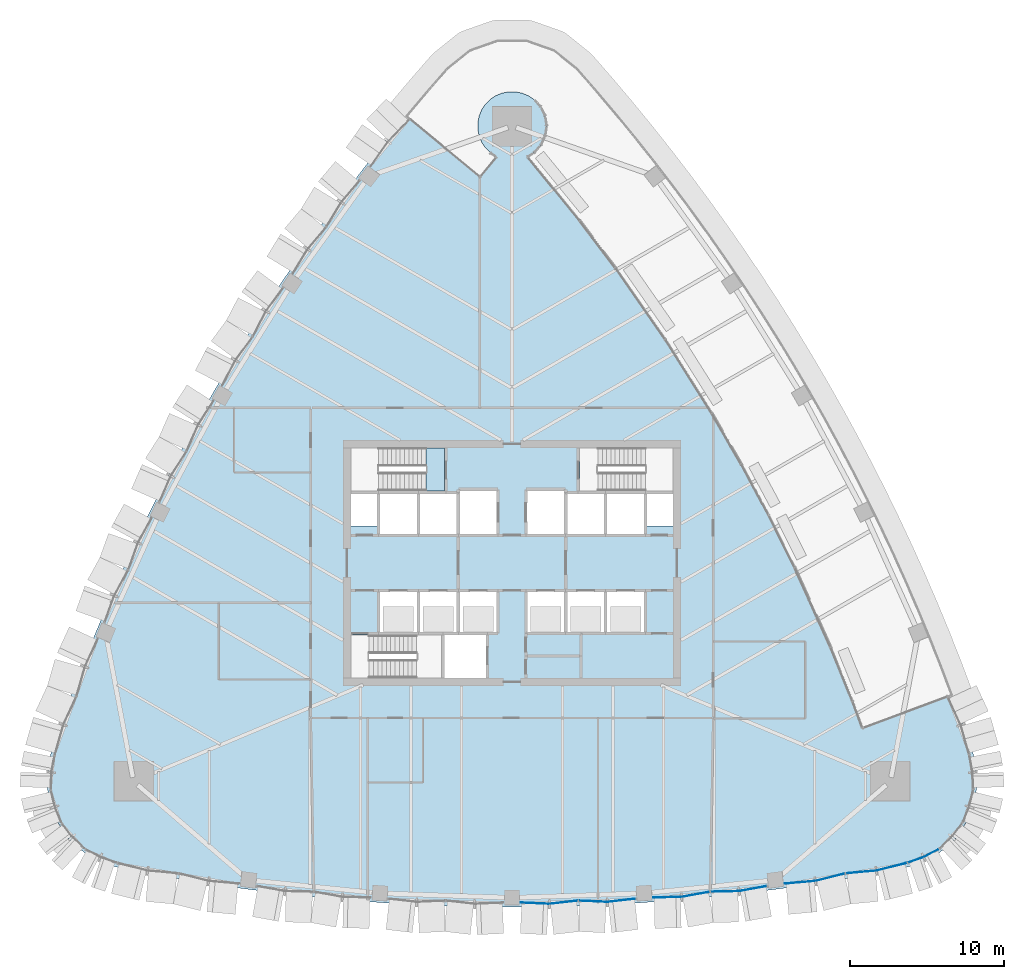
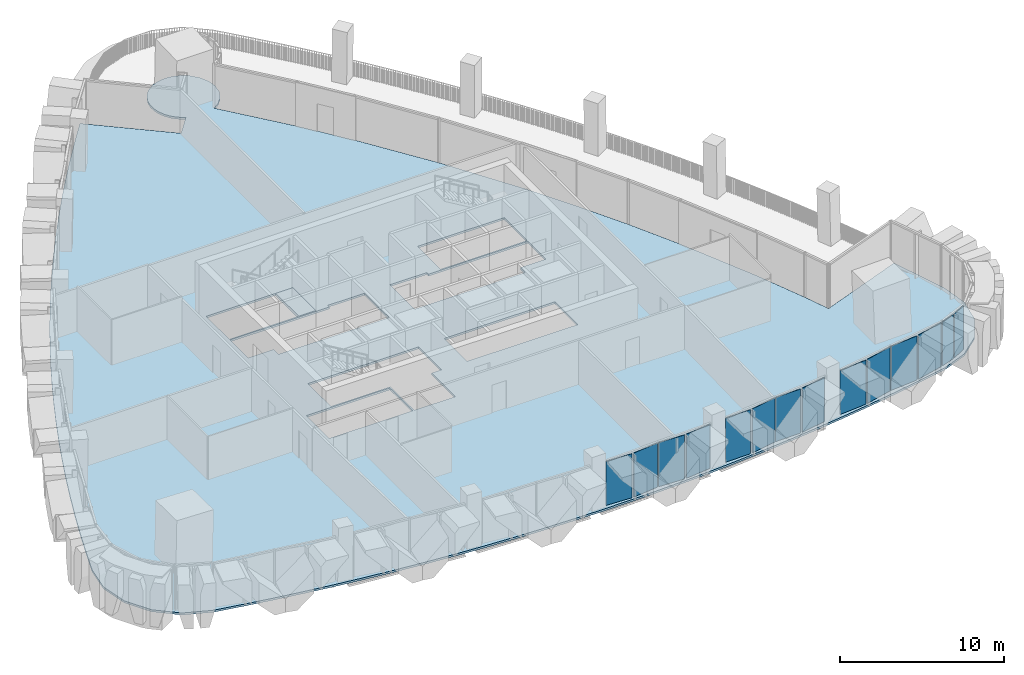
# One storey, part 9 of 22: 14 plates, 2 slabs, 4 elements without a shape of their own.
"""IFC4 building model written with IfcOpenShell, lengths in metres."""

import ifcopenshell
import ifcopenshell.guid

model = None  # the IFC model being written
_history = None  # IfcOwnerHistory: only IFC2X3 demands one
_inside = {}  # id of a spatial element -> (the spatial element, [elements in it])
_under = {}  # id of a project, library or spatial element -> (it, [spatial elements below it])
_declared = {}  # id of a project -> (the project, [libraries it declares])
_typed = {}  # id of a type object -> (the type object, [elements of that type])
_made_of = {}  # id of a material, layer set ... -> (it, [elements and type objects made of it])


def new_model(schema):
    """Start an empty IFC model of exactly this schema.

    Asked for "IFC4X3", IfcOpenShell would pick the latest addendum, in which some entities
    have other attributes; the version numbers below select the first issue.
    IFC2X3 requires an IfcOwnerHistory on every rooted entity: one is made here for all.
    """
    global model, _history
    if schema == "IFC4X3":
        model = ifcopenshell.file(schema_version=(4, 3, 0, 0))
    else:
        model = ifcopenshell.file(schema=schema)
    _inside.clear()
    _under.clear()
    _declared.clear()
    _typed.clear()
    _made_of.clear()
    _history = None
    if model.schema == "IFC2X3":
        org = make("IfcOrganization", Name="unknown")
        user = make(
            "IfcPersonAndOrganization",
            ThePerson=make("IfcPerson", FamilyName="unknown"),
            TheOrganization=org,
        )
        app = make(
            "IfcApplication",
            ApplicationDeveloper=org,
            Version="unknown",
            ApplicationFullName="unknown",
            ApplicationIdentifier="unknown",
        )
        _history = make(
            "IfcOwnerHistory",
            OwningUser=user,
            OwningApplication=app,
            ChangeAction="ADDED",
            CreationDate=0,
        )
    return model


def make(cls, **values):
    """One entity of the class cls with the attributes given. An attribute that is None is left unset."""
    return model.create_entity(
        cls, **{name: value for name, value in values.items() if value is not None}
    )


def rooted(cls, **values):
    """An entity with a GlobalId (a new one), such as an element, a storey or a relation."""
    return make(cls, GlobalId=ifcopenshell.guid.new(), OwnerHistory=_history, **values)


def si_unit(unit_type, name, prefix=None):
    """IfcSIUnit, for example si_unit("LENGTHUNIT", "METRE", prefix="MILLI")."""
    return make("IfcSIUnit", UnitType=unit_type, Prefix=prefix, Name=name)


def assignment(units):
    """IfcUnitAssignment: the units of a project."""
    return None if units is None else make("IfcUnitAssignment", Units=units)


def point(xyz):
    """IfcCartesianPoint."""
    return None if xyz is None else make("IfcCartesianPoint", Coordinates=xyz)


def direction(xyz):
    """IfcDirection."""
    return None if xyz is None else make("IfcDirection", DirectionRatios=xyz)


def frame(location, z_axis=None, x_axis=None):
    """IfcAxis2Placement3D, a coordinate frame: its origin and axes. An axis left out is left unset."""
    return make(
        "IfcAxis2Placement3D",
        Location=point(location),
        Axis=direction(z_axis),
        RefDirection=direction(x_axis),
    )


def origin():
    """The frame at (0, 0, 0) with its axes left unset."""
    return frame((0.0, 0.0, 0.0))


def place(relative_to, where):
    """IfcLocalPlacement: puts the frame where relative to a parent placement (None: the world)."""
    return make(
        "IfcLocalPlacement", PlacementRelTo=relative_to, RelativePlacement=where
    )


def context(
    kind, dimensions, precision=None, world=None, true_north=None, identifier=None
):
    """IfcGeometricRepresentationContext, for example the 3D "Model" context."""
    return make(
        "IfcGeometricRepresentationContext",
        ContextIdentifier=identifier,
        ContextType=kind,
        CoordinateSpaceDimension=dimensions,
        Precision=precision,
        WorldCoordinateSystem=world,
        TrueNorth=true_north,
    )


def subcontext(parent, identifier, kind, view, scale=None):
    """IfcGeometricRepresentationSubContext, for example "Body" below "Model"."""
    return make(
        "IfcGeometricRepresentationSubContext",
        ContextIdentifier=identifier,
        ContextType=kind,
        ParentContext=parent,
        TargetScale=scale,
        TargetView=view,
    )


def project(units=None, contexts=None):
    """IfcProject with its units and contexts."""
    return rooted(
        "IfcProject",
        Name="project",
        RepresentationContexts=contexts,
        UnitsInContext=assignment(units),
    )


def spatial(cls, under=None, at=None, **own):
    """A site, building, storey or space (cls), placed at a placement, below another one or the project."""
    s = rooted(cls, ObjectPlacement=at, **own)
    if under is not None:
        _under.setdefault(under.id(), (under, []))[1].append(s)
    return s


def polyline(points):
    """IfcPolyline through the points."""
    return make("IfcPolyline", Points=[point(p) for p in points])


def outline(outer, holes=None, kind="AREA"):
    """IfcArbitraryClosedProfileDef: a profile drawn as a closed curve; with holes, ...WithVoids."""
    if holes is None:
        return make("IfcArbitraryClosedProfileDef", ProfileType=kind, OuterCurve=outer)
    return make(
        "IfcArbitraryProfileDefWithVoids",
        ProfileType=kind,
        OuterCurve=outer,
        InnerCurves=holes,
    )


def extrude(swept, where, along, depth):
    """IfcExtrudedAreaSolid: the profile swept, set in the frame where, extruded along a direction by depth."""
    return make(
        "IfcExtrudedAreaSolid",
        SweptArea=swept,
        Position=where,
        ExtrudedDirection=direction(along),
        Depth=depth,
    )


def shape(context_of_items, identifier, shape_type, items):
    """IfcShapeRepresentation: the items that make up one representation, for example the "Body"."""
    return make(
        "IfcShapeRepresentation",
        ContextOfItems=context_of_items,
        RepresentationIdentifier=identifier,
        RepresentationType=shape_type,
        Items=items,
    )


def material(Name=None, Category=None):
    """IfcMaterial."""
    return make("IfcMaterial", Name=Name, Category=Category)


def layer(
    of_material, thickness, ventilated=None, Name=None, Category=None, Priority=None
):
    """IfcMaterialLayer: one layer of a wall or slab, of a material (None: an air gap)."""
    return make(
        "IfcMaterialLayer",
        Material=of_material,
        LayerThickness=thickness,
        IsVentilated=ventilated,
        Name=Name,
        Category=Category,
        Priority=Priority,
    )


def layer_set(layers, Name=None):
    """IfcMaterialLayerSet."""
    return make("IfcMaterialLayerSet", MaterialLayers=layers, LayerSetName=Name)


def made_of(thing, what):
    """Note that an element or type object is made of a material, layer set ...; save() writes the relation."""
    if what is not None:
        _made_of.setdefault(what.id(), (what, []))[1].append(thing)
    return thing


def type_object(cls, material=None, **own):
    """A type object (cls), such as IfcWallType, which elements share."""
    return made_of(rooted(cls, **own), material)


def element(
    cls,
    number,
    at=None,
    inside=None,
    cuts=None,
    type_object=None,
    material=None,
    context=None,
    identifier="Body",
    shape_type=None,
    held_by="IfcProductDefinitionShape",
    body=None,
    shapes=None,
    **own,
):
    """One element of the class cls, such as IfcWall. Its Tag is "e" and its number.

    at: its placement. inside: the storey or other place that contains it. cuts: it is an
    opening in that element (IfcRelVoidsElement). A single representation is given by context,
    identifier, shape_type and body (its items); several are given by shapes. held_by: the class
    of the entity that holds the representations. save() writes the other relations.
    """
    e = rooted(cls, Tag="e%d" % number, ObjectPlacement=at, **own)
    if body is not None:
        shapes = [shape(context, identifier, shape_type, body)]
    if shapes is not None:
        e.Representation = make(held_by, Representations=shapes)
    if inside is not None:
        _inside.setdefault(inside.id(), (inside, []))[1].append(e)
    if cuts is not None:
        rooted(
            "IfcRelVoidsElement", RelatingBuildingElement=cuts, RelatedOpeningElement=e
        )
    if type_object is not None:
        _typed.setdefault(type_object.id(), (type_object, []))[1].append(e)
    return made_of(e, material)


def aggregate(whole, parts):
    """IfcRelAggregates: a whole, such as a stair, and the parts it consists of."""
    return rooted("IfcRelAggregates", RelatingObject=whole, RelatedObjects=parts)


def save(model, path):
    """Write the relations noted so far, then the file.

    IfcRelAggregates (storeys below a building ...), IfcRelContainedInSpatialStructure (elements
    in a storey), IfcRelDefinesByType, IfcRelAssociatesMaterial and IfcRelDeclares: one each for
    every whole, place, type object, material and project.
    """
    for whole, parts in _under.values():
        aggregate(whole, parts)
    for where, things in _inside.values():
        rooted(
            "IfcRelContainedInSpatialStructure",
            RelatedElements=things,
            RelatingStructure=where,
        )
    for kind, things in _typed.values():
        rooted("IfcRelDefinesByType", RelatedObjects=things, RelatingType=kind)
    for what, things in _made_of.values():
        rooted("IfcRelAssociatesMaterial", RelatedObjects=things, RelatingMaterial=what)
    for by, libraries in _declared.values():
        rooted("IfcRelDeclares", RelatingContext=by, RelatedDefinitions=libraries)
    model.write(path)


model = new_model("IFC4")

# Units and contexts
model_context = context("Model", 3, precision=1e-05, world=origin(), true_north=direction((0.0, 1.0)))
body_context = subcontext(model_context, "Body", "Model", "MODEL_VIEW")
ifc_project = project(units=[si_unit("LENGTHUNIT", "METRE"), si_unit("AREAUNIT", "SQUARE_METRE"), si_unit("VOLUMEUNIT", "CUBIC_METRE"), si_unit("PLANEANGLEUNIT", "RADIAN"), si_unit("MASSUNIT", "GRAM", prefix="KILO")], contexts=[model_context])

# Site, building, storey
site_placement = place(None, origin())
site = spatial("IfcSite", under=ifc_project, at=site_placement, CompositionType="ELEMENT")
building_placement = place(site_placement, origin())
building = spatial("IfcBuilding", under=site, at=building_placement, Name="Sierra Prisma Convention Tower", CompositionType="ELEMENT")
storey_placement = place(building_placement, frame((0.0, 0.0, 141.800048828125)))
storey = spatial("IfcBuildingStorey", under=building, at=storey_placement, Name="L30", CompositionType="ELEMENT", Elevation=141.800048828125)

# Curtain wall, plates
ifc_material_1 = material(Name="Aluminium and glass curtain wall", Category="aluminium")
ifc_layer_1 = layer(ifc_material_1, 0.179931640625)
ifc_layer_set_1 = layer_set([ifc_layer_1], Name="CW-2 Faceted crystal curtain wall")
curtain_wall_type = type_object("IfcCurtainWallType", Name="CW-2 Faceted crystal curtain wall", PredefinedType="NOTDEFINED", material=ifc_layer_set_1)
curtain_wall_1_placement = place(storey_placement, origin())
curtain_wall_1 = element("IfcCurtainWall", 1, at=curtain_wall_1_placement, inside=storey, type_object=curtain_wall_type, Name="CW-2 S4 L30", PredefinedType="NOTDEFINED")
ifc_material_2 = material(Name="Tinted glass bronze-grey IGU", Category="glass")
ifc_layer_2 = layer(ifc_material_2, 0.028076171875)
ifc_layer_set_2 = layer_set([ifc_layer_2], Name="CW-2 crystal pane")
plate_type = type_object("IfcPlateType", Name="CW-2 crystal pane", PredefinedType="CURTAIN_PANEL", material=ifc_layer_set_2)
plate_1_placement = place(storey_placement, frame((0.569580078125, -22.1337890625, 0.0), z_axis=(-0.044919865896, -0.998990593373, 0.0), x_axis=(0.998990593373, -0.044919865896, 0.0)))
plate_1 = element("IfcPlate", 2, at=plate_1_placement, type_object=plate_type, Name="CW-2 pane S4.1.1", PredefinedType="CURTAIN_PANEL", context=body_context, shape_type="SweptSolid", body=[
    extrude(outline(polyline([(0.0, 0.0), (1.7935584766871744, 0.0), (1.7935584766871744, 3.280029296875001), (0.0, 3.280029296875001), (0.0, 0.0)])), origin(), (0.0, 0.0, -1.0), 0.028076171875),
])
plate_2_placement = place(storey_placement, frame((4.273193359375, -22.009521484375, 0.0), z_axis=(0.111895591025, -0.99371996896, 0.0), x_axis=(-0.99371996896, -0.111895591025, 0.0)))
plate_2 = element("IfcPlate", 3, at=plate_2_placement, type_object=plate_type, Name="CW-2 pane S4.1.2", PredefinedType="CURTAIN_PANEL", context=body_context, shape_type="SweptSolid", body=[
    extrude(outline(polyline([(0.0, 0.0), (1.7934897336982394, 0.0), (1.7934897336982394, -3.2800292968749996), (0.0, -3.2800292968749996), (0.0, 0.0)])), origin(), (0.0, 0.0, -1.0), 0.028076171875),
])
plate_3_placement = place(storey_placement, frame((4.34326171875, -22.007080078125, 0.0), z_axis=(-0.045061838377, -0.998984199436, 0.0), x_axis=(0.998984199436, -0.045061838377, 0.0)))
plate_3 = element("IfcPlate", 4, at=plate_3_placement, type_object=plate_type, Name="CW-2 pane S4.2.1", PredefinedType="CURTAIN_PANEL", context=body_context, shape_type="SweptSolid", body=[
    extrude(outline(polyline([(0.0, 0.0), (1.793325567373433, 0.0), (1.793325567373433, 3.280029296875), (0.0, 3.280029296875), (0.0, 0.0)])), origin(), (0.0, 0.0, -1.0), 0.028076171875),
])
plate_4_placement = place(storey_placement, frame((8.046630859375, -21.8828125, 0.0), z_axis=(0.111895591025, -0.99371996896, 0.0), x_axis=(-0.99371996896, -0.111895591025, 0.0)))
plate_4 = element("IfcPlate", 5, at=plate_4_placement, type_object=plate_type, Name="CW-2 pane S4.2.2", PredefinedType="CURTAIN_PANEL", context=body_context, shape_type="SweptSolid", body=[
    extrude(outline(polyline([(0.0, 0.0), (1.7934897336982394, 0.0), (1.7934897336982394, -3.2800292968749996), (0.0, -3.2800292968749996), (0.0, 0.0)])), origin(), (0.0, 0.0, -1.0), 0.028076171875),
])
aggregate(curtain_wall_1, [plate_1, plate_2, plate_3, plate_4])

curtain_wall_2_placement = place(storey_placement, origin())
curtain_wall_2 = element("IfcCurtainWall", 6, at=curtain_wall_2_placement, inside=storey, type_object=curtain_wall_type, Name="CW-2 S5 L30", PredefinedType="NOTDEFINED")
plate_5_placement = place(storey_placement, frame((9.196044921875, -21.80615234375, 0.0), z_axis=(0.022149925461, -0.999754660305, 0.0), x_axis=(0.999754660305, 0.022149925461, 0.0)))
plate_5 = element("IfcPlate", 7, at=plate_5_placement, type_object=plate_type, Name="CW-2 pane S5.1.1", PredefinedType="CURTAIN_PANEL", context=body_context, shape_type="SweptSolid", body=[
    extrude(outline(polyline([(0.0, 0.0), (1.7855943271671615, 0.0), (1.7855943271671615, 3.280029296875001), (0.0, 3.280029296875001), (0.0, 0.0)])), origin(), (0.0, 0.0, -1.0), 0.028076171875),
])
plate_6_placement = place(storey_placement, frame((12.866943359375, -21.435546875, 0.0), z_axis=(0.178175424776, -0.983998738823, 0.0), x_axis=(-0.983998738823, -0.178175424776, 0.0)))
plate_6 = element("IfcPlate", 8, at=plate_6_placement, type_object=plate_type, Name="CW-2 pane S5.1.2", PredefinedType="CURTAIN_PANEL", context=body_context, shape_type="SweptSolid", body=[
    extrude(outline(polyline([(0.0, 0.0), (1.7854046638319743, 0.0), (1.7854046638319743, -3.280029296875), (0.0, -3.280029296875), (0.0, 0.0)])), origin(), (0.0, 0.0, -1.0), 0.028076171875),
])
plate_7_placement = place(storey_placement, frame((12.936767578125, -21.428466796875, 0.0), z_axis=(0.022016273507, -0.999757612475, 0.0), x_axis=(0.999757612475, 0.022016273507, 0.0)))
plate_7 = element("IfcPlate", 9, at=plate_7_placement, type_object=plate_type, Name="CW-2 pane S5.2.1", PredefinedType="CURTAIN_PANEL", context=body_context, shape_type="SweptSolid", body=[
    extrude(outline(polyline([(0.0, 0.0), (1.7853448546963508, 0.0), (1.7853448546963508, 3.280029296875), (0.0, 3.280029296875), (0.0, 0.0)])), origin(), (0.0, 0.0, -1.0), 0.028076171875),
])
plate_8_placement = place(storey_placement, frame((16.607421875, -21.057861328125, 0.0), z_axis=(0.178175424776, -0.983998738823, 0.0), x_axis=(-0.983998738823, -0.178175424776, 0.0)))
plate_8 = element("IfcPlate", 10, at=plate_8_placement, type_object=plate_type, Name="CW-2 pane S5.2.2", PredefinedType="CURTAIN_PANEL", context=body_context, shape_type="SweptSolid", body=[
    extrude(outline(polyline([(0.0, 0.0), (1.7854046638319743, 0.0), (1.7854046638319743, -3.280029296875), (0.0, -3.280029296875), (0.0, 0.0)])), origin(), (0.0, 0.0, -1.0), 0.028076171875),
])
aggregate(curtain_wall_2, [plate_5, plate_6, plate_7, plate_8])

curtain_wall_3_placement = place(storey_placement, origin())
curtain_wall_3 = element("IfcCurtainWall", 11, at=curtain_wall_3_placement, inside=storey, type_object=curtain_wall_type, Name="CW-2 S6 L30", PredefinedType="NOTDEFINED")
plate_9_placement = place(storey_placement, frame((17.78125, -20.901123046875, 0.0), z_axis=(0.089035443672, -0.996028458313, 0.0), x_axis=(0.996028458313, 0.089035443672, 0.0)))
plate_9 = element("IfcPlate", 12, at=plate_9_placement, type_object=plate_type, Name="CW-2 pane S6.1.1", PredefinedType="CURTAIN_PANEL", context=body_context, shape_type="SweptSolid", body=[
    extrude(outline(polyline([(0.0, 0.0), (1.9221848183856456, 0.0), (1.9221848183856456, 3.280029296875001), (0.0, 3.280029296875001), (0.0, 0.0)])), origin(), (0.0, 0.0, -1.0), 0.028076171875),
])
plate_10_placement = place(storey_placement, frame((21.687744140625, -20.23974609375, 0.0), z_axis=(0.24373082245, -0.969842918306, 0.0), x_axis=(-0.969842918306, -0.24373082245, 0.0)))
plate_10 = element("IfcPlate", 13, at=plate_10_placement, type_object=plate_type, Name="CW-2 pane S6.1.2", PredefinedType="CURTAIN_PANEL", context=body_context, shape_type="SweptSolid", body=[
    extrude(outline(polyline([(0.0, 0.0), (1.922226555777438, 0.0), (1.922226555777438, -3.280029296875), (0.0, -3.280029296875), (0.0, 0.0)])), origin(), (0.0, 0.0, -1.0), 0.028076171875),
])
plate_11_placement = place(storey_placement, frame((21.756591796875, -20.22802734375, 0.0), z_axis=(0.088909436355, -0.996039714131, 0.0), x_axis=(0.996039714131, 0.088909436355, 0.0)))
plate_11 = element("IfcPlate", 14, at=plate_11_placement, type_object=plate_type, Name="CW-2 pane S6.2.1", PredefinedType="CURTAIN_PANEL", context=body_context, shape_type="SweptSolid", body=[
    extrude(outline(polyline([(0.0, 0.0), (1.922163096598446, 0.0), (1.922163096598446, 3.280029296875), (0.0, 3.280029296875), (0.0, 0.0)])), origin(), (0.0, 0.0, -1.0), 0.028076171875),
])
plate_12_placement = place(storey_placement, frame((25.6630859375, -19.56689453125, 0.0), z_axis=(0.24373082245, -0.969842918306, 0.0), x_axis=(-0.969842918306, -0.24373082245, 0.0)))
plate_12 = element("IfcPlate", 15, at=plate_12_placement, type_object=plate_type, Name="CW-2 pane S6.2.2", PredefinedType="CURTAIN_PANEL", context=body_context, shape_type="SweptSolid", body=[
    extrude(outline(polyline([(0.0, 0.0), (1.922226555777438, 0.0), (1.922226555777438, -3.280029296875), (0.0, -3.280029296875), (0.0, 0.0)])), origin(), (0.0, 0.0, -1.0), 0.028076171875),
])
aggregate(curtain_wall_3, [plate_9, plate_10, plate_11, plate_12])

curtain_wall_4_placement = place(storey_placement, origin())
curtain_wall_4 = element("IfcCurtainWall", 16, at=curtain_wall_4_placement, inside=storey, type_object=curtain_wall_type, Name="CW-2 SE1 L30", PredefinedType="NOTDEFINED")
plate_13_placement = place(storey_placement, frame((25.796142578125, -19.527099609375, 0.0), z_axis=(0.327957729694, -0.944692398368, 0.0), x_axis=(0.944692398368, 0.327957729694, 0.0)))
plate_13 = element("IfcPlate", 17, at=plate_13_placement, type_object=plate_type, Name="CW-2 pane SE1.1.1", PredefinedType="CURTAIN_PANEL", context=body_context, shape_type="SweptSolid", body=[
    extrude(outline(polyline([(0.0, 0.0), (1.0094431614965325, 0.0), (1.0094431614965325, 3.280029296875), (0.0, 3.280029296875), (0.0, 0.0)])), origin(), (0.0, 0.0, -1.0), 0.028076171875),
])
plate_14_placement = place(storey_placement, frame((27.758544921875, -18.66796875, 0.0), z_axis=(0.471617263371, -0.881803355001, 0.0), x_axis=(-0.881803355001, -0.471617263371, 0.0)))
plate_14 = element("IfcPlate", 18, at=plate_14_placement, type_object=plate_type, Name="CW-2 pane SE1.1.2", PredefinedType="CURTAIN_PANEL", context=body_context, shape_type="SweptSolid", body=[
    extrude(outline(polyline([(0.0, 0.0), (1.0094503652114053, 0.0), (1.0094503652114053, -3.280029296875), (0.0, -3.280029296875), (0.0, 0.0)])), origin(), (0.0, 0.0, -1.0), 0.028076171875),
])
aggregate(curtain_wall_4, [plate_13, plate_14])

# Slabs
ifc_material_3 = material(Name="Concrete C35/45", Category="concrete")
ifc_layer_3 = layer(ifc_material_3, 0.14990234375)
ifc_layer_set_3 = layer_set([ifc_layer_3], Name="Composite floor slab 150")
slab_type_1 = type_object("IfcSlabType", Name="Composite floor slab 150", PredefinedType="FLOOR", material=ifc_layer_set_3)
slab_1_placement = place(storey_placement, frame((0.0, 0.0, -0.150146484375)))
element("IfcSlab", 19, at=slab_1_placement, inside=storey, type_object=slab_type_1, Name="Floor slab L30 floor", PredefinedType="FLOOR", context=body_context, shape_type="SweptSolid", body=[
    extrude(outline(polyline([(28.71484375, -8.660400390625), (28.68505859375, -8.581298828125), (22.81494140625, -10.765380859375), (22.1796875, -9.045654296875), (20.755126953125, -5.523193359375), (18.41552734375, -0.326171875), (16.722900390625, 3.07568359375), (14.92578125, 6.423583984375), (13.02587890625, 9.71435546875), (9.987548828125, 14.5361328125), (6.728515625, 19.211669921875), (4.436767578125, 22.242431640625), (0.992919921875, 26.45458984375), (1.420166015625, 26.72802734375), (1.861328125, 27.21484375), (2.14208984375, 27.80859375), (2.238525390625, 28.458251953125), (2.14208984375, 29.108154296875), (1.861328125, 29.701904296875), (1.420166015625, 30.188720703125), (1.05517578125, 30.4326171875), (0.64990234375, 30.600341796875), (0.219482421875, 30.68603515625), (-0.219482421875, 30.68603515625), (-0.64990234375, 30.600341796875), (-1.05517578125, 30.4326171875), (-1.420166015625, 30.188720703125), (-1.73046875, 29.87841796875), (-1.97412109375, 29.513671875), (-2.14208984375, 29.108154296875), (-2.227783203125, 28.677734375), (-2.227783203125, 28.239013671875), (-2.14208984375, 27.80859375), (-1.97412109375, 27.403076171875), (-1.73046875, 27.038330078125), (-1.420166015625, 26.72802734375), (-0.992919921875, 26.45458984375), (-2.08447265625, 25.140869140625), (-6.910888671875, 29.132568359375), (-8.122314453125, 27.653076171875), (-9.36328125, 26.0888671875), (-10.579833984375, 24.505615234375), (-11.771728515625, 22.90380859375), (-12.9384765625, 21.28369140625), (-14.080322265625, 19.6455078125), (-15.196533203125, 17.990234375), (-16.287109375, 16.317626953125), (-17.3515625, 14.62841796875), (-18.3896484375, 12.9228515625), (-19.4013671875, 11.201416015625), (-20.386474609375, 9.464599609375), (-21.34423828125, 7.712646484375), (-22.27490234375, 5.9462890625), (-23.17822265625, 4.16552734375), (-24.0537109375, 2.37109375), (-24.9013671875, 0.563232421875), (-25.720947265625, -1.25732421875), (-26.512451171875, -3.090576171875), (-27.275146484375, -4.935791015625), (-28.009521484375, -6.79248046875), (-28.71484375, -8.660400390625), (-29.391357421875, -10.5390625), (-30.03857421875, -12.427734375), (-30.33056640625, -14.3203125), (-29.97802734375, -16.202392578125), (-29.0205078125, -17.860595703125), (-27.56689453125, -19.10693359375), (-25.781982421875, -19.80029296875), (-23.822509765625, -20.18408203125), (-21.857421875, -20.53759765625), (-19.88720703125, -20.860595703125), (-17.912109375, -21.1533203125), (-15.9326171875, -21.4150390625), (-13.949462890625, -21.646484375), (-11.962890625, -21.846923828125), (-9.973388671875, -22.016845703125), (-7.981689453125, -22.15576171875), (-5.98779296875, -22.263916015625), (-3.99267578125, -22.341064453125), (-1.99658203125, -22.387451171875), (0.0, -22.40283203125), (1.99658203125, -22.387451171875), (3.99267578125, -22.341064453125), (5.98779296875, -22.263916015625), (7.981689453125, -22.15576171875), (9.973388671875, -22.016845703125), (11.962890625, -21.846923828125), (13.949462890625, -21.646484375), (15.9326171875, -21.4150390625), (17.912109375, -21.1533203125), (19.88720703125, -20.860595703125), (21.857421875, -20.53759765625), (23.822509765625, -20.18408203125), (25.781982421875, -19.80029296875), (27.56689453125, -19.10693359375), (29.0205078125, -17.860595703125), (29.97802734375, -16.202392578125), (30.33056640625, -14.3203125), (30.03857421875, -12.427734375), (29.391357421875, -10.5390625), (28.71484375, -8.660400390625)]), holes=[polyline([(-4.60009765625, -7.5), (-10.5, -7.5), (-10.5, -4.699951171875), (-4.60009765625, -4.699951171875), (-4.60009765625, -7.5)]), polyline([(-8.699951171875, -4.60009765625), (-8.699951171875, -1.800048828125), (-6.10009765625, -1.800048828125), (-3.5, -1.800048828125), (-0.89990234375, -1.800048828125), (-0.89990234375, -4.60009765625), (-1.60009765625, -4.60009765625), (-1.60009765625, -7.5), (-4.5, -7.5), (-4.5, -4.60009765625), (-6.10009765625, -4.60009765625), (-8.699951171875, -4.60009765625)]), polyline([(-10.5, 4.60009765625), (-8.699951171875, 4.60009765625), (-6.10009765625, 4.60009765625), (-3.5, 4.60009765625), (-3.5, 4.800048828125), (-0.89990234375, 4.800048828125), (-0.89990234375, 1.800048828125), (-3.5, 1.800048828125), (-6.10009765625, 1.800048828125), (-8.699951171875, 1.800048828125), (-8.699951171875, 2.39990234375), (-10.5, 2.39990234375), (-10.5, 4.60009765625)]), polyline([(-10.5, 4.699951171875), (-10.5, 7.5), (-4.39990234375, 7.5), (-4.39990234375, 4.699951171875), (-10.5, 4.699951171875)]), polyline([(6.10009765625, -1.800048828125), (8.699951171875, -1.800048828125), (8.699951171875, -4.60009765625), (6.10009765625, -4.60009765625), (3.5, -4.60009765625), (0.89990234375, -4.60009765625), (0.89990234375, -1.800048828125), (3.5, -1.800048828125), (6.10009765625, -1.800048828125)]), polyline([(8.699951171875, 4.60009765625), (10.5, 4.60009765625), (10.5, 2.39990234375), (8.699951171875, 2.39990234375), (8.699951171875, 1.800048828125), (6.10009765625, 1.800048828125), (3.5, 1.800048828125), (0.89990234375, 1.800048828125), (0.89990234375, 4.800048828125), (3.5, 4.800048828125), (3.5, 4.60009765625), (6.10009765625, 4.60009765625), (8.699951171875, 4.60009765625)]), polyline([(4.39990234375, 4.699951171875), (4.39990234375, 7.5), (10.5, 7.5), (10.5, 4.699951171875), (4.39990234375, 4.699951171875)])]), origin(), (0.0, 0.0, 1.0), 0.150146484375),
])
ifc_material_4 = material(Name="Concrete C35/45", Category="concrete")
ifc_layer_4 = layer(ifc_material_4, 0.199951171875)
ifc_layer_set_4 = layer_set([ifc_layer_4], Name="Stair landing slab")
slab_type_2 = type_object("IfcSlabType", Name="Stair landing slab", PredefinedType="LANDING", material=ifc_layer_set_4)
slab_2_placement = place(storey_placement, frame((0.0, 0.0, -0.199951171875)))
element("IfcSlab", 20, at=slab_2_placement, inside=storey, type_object=slab_type_2, Name="S3 floor landing L30", PredefinedType="LANDING", context=body_context, shape_type="SweptSolid", body=[
    extrude(outline(polyline([(-4.39990234375, 7.5), (-5.60205078125, 7.5), (-5.60205078125, 4.699951171875), (-4.39990234375, 4.699951171875), (-4.39990234375, 7.5)])), origin(), (0.0, 0.0, 1.0), 0.199951171875),
])

save(model, "model.ifc")
